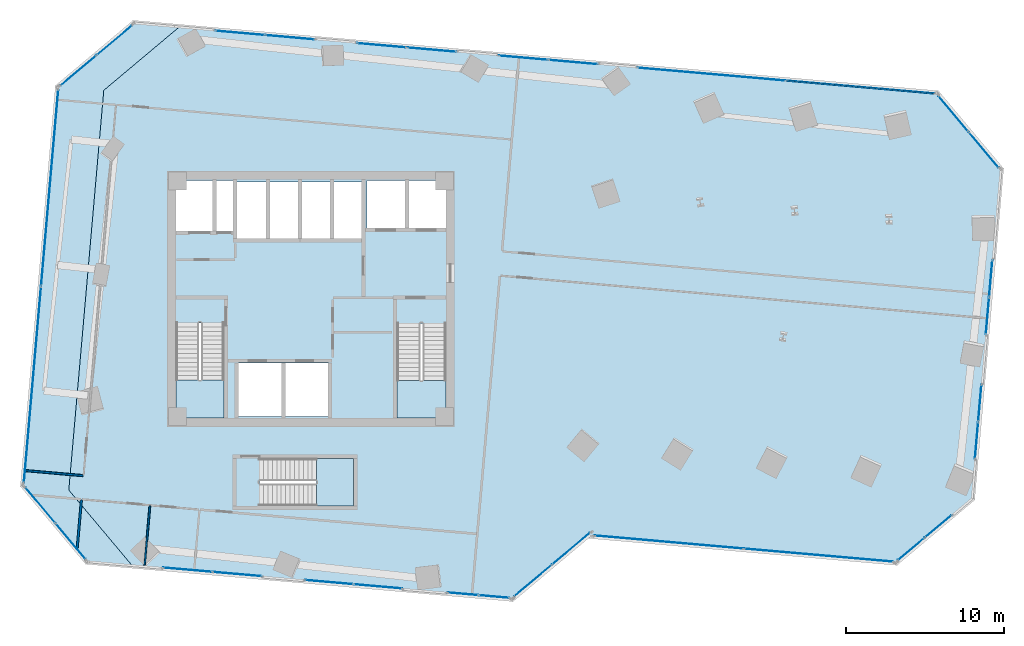
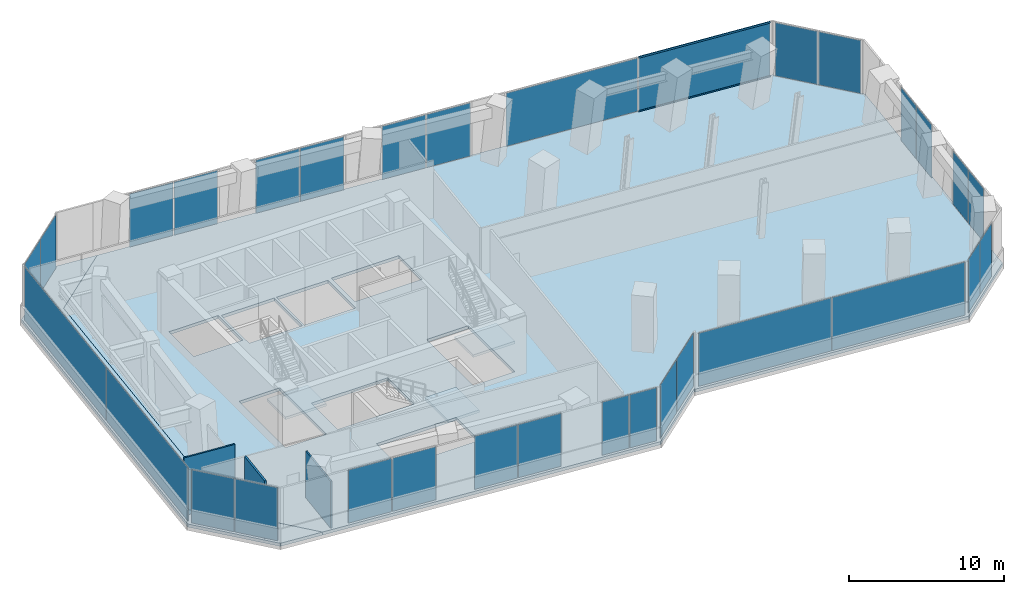
# One storey, part 19 of 24: 32 plates, 5 slabs, 3 walls, 2 members, 19 elements without a shape of their own.
"""IFC4 building model written with IfcOpenShell, lengths in metres."""

from ifc_helpers import new_model, si_unit, direction, frame, frame_2d, origin, origin_2d, place, context, subcontext, project, spatial, polyline, rectangle, hollow_rectangle, outline, extrude, source, transform, mapped, material, layer, layer_set, material_profile, profile_set, type_object, element, aggregate, save


model = new_model("IFC4")

# Units and contexts
model_context = context("Model", 3, precision=1e-05, world=origin(), true_north=direction((0.0, 1.0)))
body_context = subcontext(model_context, "Body", "Model", "MODEL_VIEW")
ifc_project = project(units=[si_unit("LENGTHUNIT", "METRE"), si_unit("AREAUNIT", "SQUARE_METRE"), si_unit("VOLUMEUNIT", "CUBIC_METRE"), si_unit("PLANEANGLEUNIT", "RADIAN"), si_unit("MASSUNIT", "GRAM", prefix="KILO")], contexts=[model_context])

# Site, building, storey
site_placement = place(None, origin())
site = spatial("IfcSite", under=ifc_project, at=site_placement, CompositionType="ELEMENT")
building_placement = place(site_placement, origin())
building = spatial("IfcBuilding", under=site, at=building_placement, Name="Torre Montelarca", CompositionType="ELEMENT")
storey_placement = place(building_placement, frame((0.0, 0.0, 52.0)))
storey = spatial("IfcBuildingStorey", under=building, at=storey_placement, Name="L11", CompositionType="ELEMENT", Elevation=52.0)

# Curtain wall, members
ifc_material_1 = material(Name="Insulated low-E laminated glass", Category="glass")
curtain_wall_type = type_object("IfcCurtainWallType", Name="CW-SYS-Z1", PredefinedType="USERDEFINED", material=ifc_material_1)
curtain_wall_1_placement = place(storey_placement, origin())
curtain_wall_1 = element("IfcCurtainWall", 1, at=curtain_wall_1_placement, inside=storey, type_object=curtain_wall_type, Name="L11 Curtain Wall Run CW-T3-L11-E08-B1", ObjectType="UNITISED GLAZING", PredefinedType="USERDEFINED")
ifc_material_2 = material(Name="Anodised aluminium AA 6063-T6", Category="aluminium")
ifc_material_profile = material_profile(ifc_material_2, hollow_rectangle(XDim=0.06494140625, YDim=0.139892578125, WallThickness=0.00390625, InnerFilletRadius=0.00390625, OuterFilletRadius=0.008056640625, at=origin_2d()), Name="ALU65X140X4", Category="aluminium")
ifc_profile_set = profile_set([ifc_material_profile], Name="Anodised aluminium AA 6063-T6")
member_type = type_object("IfcMemberType", Name="CWT-ALU140", PredefinedType="USERDEFINED", material=ifc_profile_set)
shared_shape_1 = source(origin(), body_context, "Body", "SweptSolid", [
    extrude(hollow_rectangle(XDim=0.06494140625, YDim=0.139892578125, WallThickness=0.00390625, InnerFilletRadius=0.00390625, OuterFilletRadius=0.008056640625, at=origin_2d()), origin(), (0.0, 0.0, 1.0), 9.372802734375),
])
member_1_placement = place(storey_placement, frame((57.437744140625, 44.987060546875, 0.032470703125), z_axis=(-0.996194706995, 0.087155640988, 0.0), x_axis=(-0.087155640988, -0.996194706995, 0.0)))
member_1 = element("IfcMember", 2, at=member_1_placement, type_object=member_type, Name="CW transom 1.1", ObjectType="TRANSOM", PredefinedType="USERDEFINED", context=body_context, shape_type="MappedRepresentation", body=[
    mapped(shared_shape_1, transform((0.0, 0.0, 0.0), scale=1.0)),
])
member_2_placement = place(storey_placement, frame((57.437744140625, 44.987060546875, 4.28759765625), z_axis=(-0.996194706995, 0.087155640988, 0.0), x_axis=(-0.087155640988, -0.996194706995, 0.0)))
member_2 = element("IfcMember", 3, at=member_2_placement, type_object=member_type, Name="CW transom 1.2", ObjectType="TRANSOM", PredefinedType="USERDEFINED", context=body_context, shape_type="MappedRepresentation", body=[
    mapped(shared_shape_1, transform((0.0, 0.0, 0.0), scale=1.0)),
])

# Slabs
ifc_material_3 = material(Name="Concrete C40/50", Category="concrete")
ifc_layer_1 = layer(ifc_material_3, 0.239990234375, Name="Concrete C40/50", Category="concrete")
ifc_layer_set_1 = layer_set([ifc_layer_1], Name="Concrete C40/50")
slab_type_1 = type_object("IfcSlabType", Name="SL-FLR-240", PredefinedType="FLOOR", material=ifc_layer_set_1)
slab_1_placement = place(storey_placement, frame((0.0, 0.0, -0.239990234375)))
element("IfcSlab", 4, at=slab_1_placement, inside=storey, type_object=slab_type_1, Name="L11 Structural Floor Slab", PredefinedType="FLOOR", context=body_context, shape_type="SweptSolid", body=[
    extrude(outline(polyline([(30.772216796875, 12.919189453125), (35.6474609375, 17.010009765625), (35.638671875, 16.910400390625), (55.064453125, 15.210693359375), (59.939453125, 19.301513671875), (61.769775390625, 40.221435546875), (57.67919921875, 45.0966796875), (9.76220703125, 49.288818359375), (4.88720703125, 45.197998046875), (2.67333984375, 19.894775390625), (6.763916015625, 15.019775390625), (30.772216796875, 12.919189453125)]), holes=[polyline([(20.699951171875, 18.89990234375), (14.760009765625, 18.89990234375), (14.760009765625, 21.889892578125), (20.699951171875, 21.889892578125), (20.699951171875, 18.89990234375)]), polyline([(19.10009765625, 24.550048828125), (13.39990234375, 24.550048828125), (13.39990234375, 27.949951171875), (19.10009765625, 27.949951171875), (19.10009765625, 24.550048828125)]), polyline([(23.43994140625, 24.449951171875), (23.43994140625, 30.429931640625), (26.550048828125, 30.429931640625), (26.550048828125, 24.449951171875), (23.43994140625, 24.449951171875)]), polyline([(9.449951171875, 24.449951171875), (9.449951171875, 30.4599609375), (12.5, 30.4599609375), (12.5, 24.449951171875), (9.449951171875, 24.449951171875)]), polyline([(17.25, 35.800048828125), (13.300048828125, 35.800048828125), (13.300048828125, 39.39990234375), (17.25, 39.39990234375), (17.25, 35.800048828125)]), polyline([(21.25, 35.800048828125), (17.39990234375, 35.800048828125), (17.39990234375, 39.39990234375), (21.25, 39.39990234375), (21.25, 35.800048828125)]), polyline([(13.1201171875, 36.300048828125), (9.449951171875, 36.300048828125), (9.449951171875, 39.5), (13.1201171875, 39.5), (13.1201171875, 36.300048828125)]), polyline([(26.60009765625, 36.449951171875), (21.550048828125, 36.449951171875), (21.550048828125, 39.5), (26.60009765625, 39.5), (26.60009765625, 36.449951171875)])]), origin(), (0.0, 0.0, 1.0), 0.239990234375),
])
slab_2_placement = place(storey_placement, frame((0.0, 0.0, -0.239990234375)))
element("IfcSlab", 5, at=slab_2_placement, inside=storey, type_object=slab_type_1, Name="L11 Sliding Tray Winter Garden Floor Slab W1", PredefinedType="FLOOR", context=body_context, shape_type="SweptSolid", body=[
    extrude(outline(polyline([(6.763916015625, 15.019775390625), (2.67333984375, 19.894775390625), (4.88720703125, 45.197998046875), (9.76220703125, 49.288818359375), (6.773681640625, 49.55029296875), (1.8984375, 45.459716796875), (-0.315185546875, 20.15625), (3.775390625, 15.28125), (6.763916015625, 15.019775390625)])), origin(), (0.0, 0.0, 1.0), 0.239990234375),
])

# Stair, slab
stair_type_1 = type_object("IfcStairType", Name="ST-CORE-ST1", PredefinedType="HALF_TURN_STAIR", material=ifc_material_3)
stair_1_placement = place(storey_placement, origin())
stair_1 = element("IfcStair", 6, at=stair_1_placement, inside=storey, type_object=stair_type_1, Name="L11 Protected Exit Stair ST1", PredefinedType="HALF_TURN_STAIR")
ifc_layer_2 = layer(ifc_material_3, 0.199951171875, Name="Concrete C40/50", Category="concrete")
ifc_layer_set_2 = layer_set([ifc_layer_2], Name="Concrete C40/50")
slab_type_2 = type_object("IfcSlabType", Name="SL-ST-LAND-ST1", PredefinedType="LANDING", material=ifc_layer_set_2)
slab_3_placement = place(storey_placement, frame((0.0, 0.0, 2.199951171875)))
slab_3 = element("IfcSlab", 7, at=slab_3_placement, type_object=slab_type_2, Name="ST1 landing 1", PredefinedType="LANDING", context=body_context, shape_type="SweptSolid", body=[
    extrude(outline(polyline([(9.449951171875, 26.860107421875), (9.449951171875, 24.449951171875), (12.5, 24.449951171875), (12.5, 26.860107421875), (9.449951171875, 26.860107421875)])), origin(), (0.0, 0.0, 1.0), 0.199951171875),
])
aggregate(stair_1, [slab_3])

stair_type_2 = type_object("IfcStairType", Name="ST-CORE-ST2", PredefinedType="HALF_TURN_STAIR", material=ifc_material_3)
stair_2_placement = place(storey_placement, origin())
stair_2 = element("IfcStair", 8, at=stair_2_placement, inside=storey, type_object=stair_type_2, Name="L11 Protected Exit Stair ST2", PredefinedType="HALF_TURN_STAIR")
ifc_layer_3 = layer(ifc_material_3, 0.199951171875, Name="Concrete C40/50", Category="concrete")
ifc_layer_set_3 = layer_set([ifc_layer_3], Name="Concrete C40/50")
slab_type_3 = type_object("IfcSlabType", Name="SL-ST-LAND-ST2", PredefinedType="LANDING", material=ifc_layer_set_3)
slab_4_placement = place(storey_placement, frame((0.0, 0.0, 2.199951171875)))
slab_4 = element("IfcSlab", 9, at=slab_4_placement, type_object=slab_type_3, Name="ST2 landing 1", PredefinedType="LANDING", context=body_context, shape_type="SweptSolid", body=[
    extrude(outline(polyline([(23.43994140625, 26.830078125), (23.43994140625, 24.449951171875), (26.550048828125, 24.449951171875), (26.550048828125, 26.830078125), (23.43994140625, 26.830078125)])), origin(), (0.0, 0.0, 1.0), 0.199951171875),
])
aggregate(stair_2, [slab_4])

stair_type_3 = type_object("IfcStairType", Name="ST-CORE-ST3", PredefinedType="HALF_TURN_STAIR", material=ifc_material_3)
stair_3_placement = place(storey_placement, origin())
stair_3 = element("IfcStair", 10, at=stair_3_placement, inside=storey, type_object=stair_type_3, Name="L11 Low-Rise Exit Stair ST3", PredefinedType="HALF_TURN_STAIR")
ifc_layer_4 = layer(ifc_material_3, 0.199951171875, Name="Concrete C40/50", Category="concrete")
ifc_layer_set_4 = layer_set([ifc_layer_4], Name="Concrete C40/50")
slab_type_4 = type_object("IfcSlabType", Name="SL-ST-LAND-ST3", PredefinedType="LANDING", material=ifc_layer_set_4)
slab_5_placement = place(storey_placement, frame((0.0, 0.0, 2.199951171875)))
slab_5 = element("IfcSlab", 11, at=slab_5_placement, type_object=slab_type_4, Name="ST3 landing 1", PredefinedType="LANDING", context=body_context, shape_type="SweptSolid", body=[
    extrude(outline(polyline([(18.360107421875, 18.89990234375), (20.699951171875, 18.89990234375), (20.699951171875, 21.889892578125), (18.360107421875, 21.889892578125), (18.360107421875, 18.89990234375)])), origin(), (0.0, 0.0, 1.0), 0.199951171875),
])
aggregate(stair_3, [slab_5])

# Curtain wall, plates
curtain_wall_2_placement = place(storey_placement, origin())
curtain_wall_2 = element("IfcCurtainWall", 12, at=curtain_wall_2_placement, inside=storey, type_object=curtain_wall_type, Name="L11 Curtain Wall Run CW-T3-L11-E07-B1", ObjectType="UNITISED GLAZING", PredefinedType="USERDEFINED")
ifc_layer_5 = layer(ifc_material_1, 0.028076171875, Name="Insulated low-E laminated glass", Category="glass")
ifc_layer_set_5 = layer_set([ifc_layer_5], Name="Insulated low-E laminated glass")
plate_type = type_object("IfcPlateType", Name="CWP-GLZ-28", PredefinedType="CURTAIN_PANEL", material=ifc_layer_set_5)
shared_shape_2 = source(origin(), body_context, "Body", "SweptSolid", [
    extrude(rectangle(XDim=2.918701171875, YDim=0.028076171875, at=origin_2d()), origin(), (0.0, 0.0, 1.0), 4.18994140625),
])
plate_1_placement = place(storey_placement, frame((60.583740234375, 41.4326171875, 0.06494140625), z_axis=(0.0, 0.0, 1.0), x_axis=(-0.642789614074, 0.766042761233, 0.0)))
plate_1 = element("IfcPlate", 13, at=plate_1_placement, type_object=plate_type, Name="CW panel 1.1", PredefinedType="CURTAIN_PANEL", context=body_context, shape_type="MappedRepresentation", body=[
    mapped(shared_shape_2, transform((0.0, 0.0, 0.0), scale=1.0)),
])
plate_2_placement = place(storey_placement, frame((58.666015625, 43.71826171875, 0.06494140625), z_axis=(0.0, 0.0, 1.0), x_axis=(-0.642789614074, 0.766042761233, 0.0)))
plate_2 = element("IfcPlate", 14, at=plate_2_placement, type_object=plate_type, Name="CW panel 2.1", PredefinedType="CURTAIN_PANEL", context=body_context, shape_type="MappedRepresentation", body=[
    mapped(shared_shape_2, transform((0.0, 0.0, 0.0), scale=1.0)),
])
aggregate(curtain_wall_2, [plate_1, plate_2])

curtain_wall_3_placement = place(storey_placement, origin())
curtain_wall_3 = element("IfcCurtainWall", 15, at=curtain_wall_3_placement, inside=storey, type_object=curtain_wall_type, Name="L11 Curtain Wall Run CW-T3-L11-E09-B1", ObjectType="UNITISED GLAZING", PredefinedType="USERDEFINED")
plate_3_placement = place(storey_placement, frame((5.5625, 48.3642578125, 0.06494140625), z_axis=(0.0, 0.0, 1.0), x_axis=(-0.766042761233, -0.642789614074, 0.0)))
plate_3 = element("IfcPlate", 16, at=plate_3_placement, type_object=plate_type, Name="CW panel 1.1", PredefinedType="CURTAIN_PANEL", context=body_context, shape_type="MappedRepresentation", body=[
    mapped(shared_shape_2, transform((0.0, 0.0, 0.0), scale=1.0)),
])
plate_4_placement = place(storey_placement, frame((3.27685546875, 46.446533203125, 0.06494140625), z_axis=(0.0, 0.0, 1.0), x_axis=(-0.766042761233, -0.642789614074, 0.0)))
plate_4 = element("IfcPlate", 17, at=plate_4_placement, type_object=plate_type, Name="CW panel 2.1", PredefinedType="CURTAIN_PANEL", context=body_context, shape_type="MappedRepresentation", body=[
    mapped(shared_shape_2, transform((0.0, 0.0, 0.0), scale=1.0)),
])
aggregate(curtain_wall_3, [plate_3, plate_4])

curtain_wall_4_placement = place(storey_placement, origin())
curtain_wall_4 = element("IfcCurtainWall", 18, at=curtain_wall_4_placement, inside=storey, type_object=curtain_wall_type, Name="L11 Curtain Wall Run CW-T3-L11-E11-B1", ObjectType="UNITISED GLAZING", PredefinedType="USERDEFINED")
plate_5_placement = place(storey_placement, frame((0.87060546875, 18.945068359375, 0.06494140625), z_axis=(0.0, 0.0, 1.0), x_axis=(0.642789614074, -0.766042761233, 0.0)))
plate_5 = element("IfcPlate", 19, at=plate_5_placement, type_object=plate_type, Name="CW panel 1.1", PredefinedType="CURTAIN_PANEL", context=body_context, shape_type="MappedRepresentation", body=[
    mapped(shared_shape_2, transform((0.0, 0.0, 0.0), scale=1.0)),
])
plate_6_placement = place(storey_placement, frame((2.78857421875, 16.659423828125, 0.06494140625), z_axis=(0.0, 0.0, 1.0), x_axis=(0.642789614074, -0.766042761233, 0.0)))
plate_6 = element("IfcPlate", 20, at=plate_6_placement, type_object=plate_type, Name="CW panel 2.1", PredefinedType="CURTAIN_PANEL", context=body_context, shape_type="MappedRepresentation", body=[
    mapped(shared_shape_2, transform((0.0, 0.0, 0.0), scale=1.0)),
])
aggregate(curtain_wall_4, [plate_5, plate_6])

curtain_wall_5_placement = place(storey_placement, origin())
curtain_wall_5 = element("IfcCurtainWall", 21, at=curtain_wall_5_placement, inside=storey, type_object=curtain_wall_type, Name="L11 Curtain Wall Run CW-T3-L11-E08-B2", ObjectType="UNITISED GLAZING", PredefinedType="USERDEFINED")
shared_shape_3 = source(origin(), body_context, "Body", "SweptSolid", [
    extrude(rectangle(XDim=3.10791015625, YDim=0.028076171875, at=origin_2d()), origin(), (0.0, 0.0, 1.0), 4.18994140625),
])
plate_7_placement = place(storey_placement, frame((34.60693359375, 46.984619140625, 0.06494140625), z_axis=(0.0, 0.0, 1.0), x_axis=(-0.996195207318, 0.087149922072, 0.0)))
plate_7 = element("IfcPlate", 22, at=plate_7_placement, type_object=plate_type, Name="CW panel 1.1", PredefinedType="CURTAIN_PANEL", context=body_context, shape_type="MappedRepresentation", body=[
    mapped(shared_shape_3, transform((0.0, 0.0, 0.0), scale=1.0)),
])
plate_8_placement = place(storey_placement, frame((31.446044921875, 47.26123046875, 0.06494140625), z_axis=(0.0, 0.0, 1.0), x_axis=(-0.996195207318, 0.087149922072, 0.0)))
plate_8 = element("IfcPlate", 23, at=plate_8_placement, type_object=plate_type, Name="CW panel 2.1", PredefinedType="CURTAIN_PANEL", context=body_context, shape_type="MappedRepresentation", body=[
    mapped(shared_shape_3, transform((0.0, 0.0, 0.0), scale=1.0)),
])
aggregate(curtain_wall_5, [plate_7, plate_8])

curtain_wall_6_placement = place(storey_placement, origin())
curtain_wall_6 = element("IfcCurtainWall", 24, at=curtain_wall_6_placement, inside=storey, type_object=curtain_wall_type, Name="L11 Curtain Wall Run CW-T3-L11-E08-B4", ObjectType="UNITISED GLAZING", PredefinedType="USERDEFINED")
shared_shape_4 = source(origin(), body_context, "Body", "SweptSolid", [
    extrude(rectangle(XDim=3.105712890625, YDim=0.028076171875, at=origin_2d()), origin(), (0.0, 0.0, 1.0), 4.18994140625),
])
plate_9_placement = place(storey_placement, frame((16.676513671875, 48.553466796875, 0.06494140625), z_axis=(0.0, 0.0, 1.0), x_axis=(-0.996194293522, 0.087160366874, 0.0)))
plate_9 = element("IfcPlate", 25, at=plate_9_placement, type_object=plate_type, Name="CW panel 1.1", PredefinedType="CURTAIN_PANEL", context=body_context, shape_type="MappedRepresentation", body=[
    mapped(shared_shape_4, transform((0.0, 0.0, 0.0), scale=1.0)),
])
plate_10_placement = place(storey_placement, frame((13.517822265625, 48.829833984375, 0.06494140625), z_axis=(0.0, 0.0, 1.0), x_axis=(-0.996194293522, 0.087160366874, 0.0)))
plate_10 = element("IfcPlate", 26, at=plate_10_placement, type_object=plate_type, Name="CW panel 2.1", PredefinedType="CURTAIN_PANEL", context=body_context, shape_type="MappedRepresentation", body=[
    mapped(shared_shape_4, transform((0.0, 0.0, 0.0), scale=1.0)),
])
aggregate(curtain_wall_6, [plate_9, plate_10])

curtain_wall_7_placement = place(storey_placement, origin())
curtain_wall_7 = element("IfcCurtainWall", 27, at=curtain_wall_7_placement, inside=storey, type_object=curtain_wall_type, Name="L11 Curtain Wall Run CW-T3-L11-E01-B3", ObjectType="UNITISED GLAZING", PredefinedType="USERDEFINED")
shared_shape_5 = source(origin(), body_context, "Body", "SweptSolid", [
    extrude(rectangle(XDim=1.9169921875, YDim=0.028076171875, at=origin_2d()), origin(), (0.0, 0.0, 1.0), 4.18994140625),
])
plate_11_placement = place(storey_placement, frame((27.624267578125, 13.3251953125, 0.06494140625), z_axis=(0.0, 0.0, 1.0), x_axis=(0.996193879133, -0.087165102987, 0.0)))
plate_11 = element("IfcPlate", 28, at=plate_11_placement, type_object=plate_type, Name="CW panel 1.1", PredefinedType="CURTAIN_PANEL", context=body_context, shape_type="MappedRepresentation", body=[
    mapped(shared_shape_5, transform((0.0, 0.0, 0.0), scale=1.0)),
])
plate_12_placement = place(storey_placement, frame((29.598876953125, 13.15234375, 0.06494140625), z_axis=(0.0, 0.0, 1.0), x_axis=(0.996193879133, -0.087165102987, 0.0)))
plate_12 = element("IfcPlate", 29, at=plate_12_placement, type_object=plate_type, Name="CW panel 2.1", PredefinedType="CURTAIN_PANEL", context=body_context, shape_type="MappedRepresentation", body=[
    mapped(shared_shape_5, transform((0.0, 0.0, 0.0), scale=1.0)),
])
aggregate(curtain_wall_7, [plate_11, plate_12])

curtain_wall_8_placement = place(storey_placement, origin())
curtain_wall_8 = element("IfcCurtainWall", 30, at=curtain_wall_8_placement, inside=storey, type_object=curtain_wall_type, Name="L11 Curtain Wall Run CW-T3-L11-E02-B1", ObjectType="UNITISED GLAZING", PredefinedType="USERDEFINED")
shared_shape_6 = source(origin(), body_context, "Body", "SweptSolid", [
    extrude(rectangle(XDim=3.102783203125, YDim=0.028076171875, at=origin_2d()), origin(), (0.0, 0.0, 1.0), 4.18994140625),
])
plate_13_placement = place(storey_placement, frame((32.053955078125, 14.16455078125, 0.06494140625), z_axis=(0.0, 0.0, 1.0), x_axis=(0.766052558945, 0.642777937498, 0.0)))
plate_13 = element("IfcPlate", 31, at=plate_13_placement, type_object=plate_type, Name="CW panel 1.1", PredefinedType="CURTAIN_PANEL", context=body_context, shape_type="MappedRepresentation", body=[
    mapped(shared_shape_6, transform((0.0, 0.0, 0.0), scale=1.0)),
])
plate_14_placement = place(storey_placement, frame((34.480712890625, 16.200439453125, 0.06494140625), z_axis=(0.0, 0.0, 1.0), x_axis=(0.766052558945, 0.642777937498, 0.0)))
plate_14 = element("IfcPlate", 32, at=plate_14_placement, type_object=plate_type, Name="CW panel 2.1", PredefinedType="CURTAIN_PANEL", context=body_context, shape_type="MappedRepresentation", body=[
    mapped(shared_shape_6, transform((0.0, 0.0, 0.0), scale=1.0)),
])
aggregate(curtain_wall_8, [plate_13, plate_14])

curtain_wall_9_placement = place(storey_placement, origin())
curtain_wall_9 = element("IfcCurtainWall", 33, at=curtain_wall_9_placement, inside=storey, type_object=curtain_wall_type, Name="L11 Curtain Wall Run CW-T3-L11-E04-B1", ObjectType="UNITISED GLAZING", PredefinedType="USERDEFINED")
shared_shape_7 = source(origin(), body_context, "Body", "SweptSolid", [
    extrude(rectangle(XDim=9.448486328125, YDim=0.028076171875, at=origin_2d()), origin(), (0.0, 0.0, 1.0), 4.18994140625),
])
plate_15_placement = place(storey_placement, frame((40.662109375, 16.601318359375, 0.06494140625), z_axis=(0.0, 0.0, 1.0), x_axis=(0.996194160936, -0.087161882244, 0.0)))
plate_15 = element("IfcPlate", 34, at=plate_15_placement, type_object=plate_type, Name="CW panel 1.1", PredefinedType="CURTAIN_PANEL", context=body_context, shape_type="MappedRepresentation", body=[
    mapped(shared_shape_7, transform((0.0, 0.0, 0.0), scale=1.0)),
])
plate_16_placement = place(storey_placement, frame((50.139404296875, 15.772216796875, 0.06494140625), z_axis=(0.0, 0.0, 1.0), x_axis=(0.996194160936, -0.087161882244, 0.0)))
plate_16 = element("IfcPlate", 35, at=plate_16_placement, type_object=plate_type, Name="CW panel 2.1", PredefinedType="CURTAIN_PANEL", context=body_context, shape_type="MappedRepresentation", body=[
    mapped(shared_shape_7, transform((0.0, 0.0, 0.0), scale=1.0)),
])
aggregate(curtain_wall_9, [plate_15, plate_16])

curtain_wall_10_placement = place(storey_placement, origin())
curtain_wall_10 = element("IfcCurtainWall", 36, at=curtain_wall_10_placement, inside=storey, type_object=curtain_wall_type, Name="L11 Curtain Wall Run CW-T3-L11-E10-B1", ObjectType="UNITISED GLAZING", PredefinedType="USERDEFINED")
shared_shape_8 = source(origin(), body_context, "Body", "SweptSolid", [
    extrude(rectangle(XDim=12.4365234375, YDim=0.028076171875, at=origin_2d()), origin(), (0.0, 0.0, 1.0), 4.18994140625),
])
plate_17_placement = place(storey_placement, frame((1.4658203125, 39.023681640625, 0.06494140625), z_axis=(0.0, 0.0, 1.0), x_axis=(-0.087162199711, -0.99619413316, 0.0)))
plate_17 = element("IfcPlate", 37, at=plate_17_placement, type_object=plate_type, Name="CW panel 1.1", PredefinedType="CURTAIN_PANEL", context=body_context, shape_type="MappedRepresentation", body=[
    mapped(shared_shape_8, transform((0.0, 0.0, 0.0), scale=1.0)),
])
plate_18_placement = place(storey_placement, frame((0.376220703125, 26.569580078125, 0.06494140625), z_axis=(0.0, 0.0, 1.0), x_axis=(-0.087162199711, -0.99619413316, 0.0)))
plate_18 = element("IfcPlate", 38, at=plate_18_placement, type_object=plate_type, Name="CW panel 2.1", PredefinedType="CURTAIN_PANEL", context=body_context, shape_type="MappedRepresentation", body=[
    mapped(shared_shape_8, transform((0.0, 0.0, 0.0), scale=1.0)),
])
aggregate(curtain_wall_10, [plate_17, plate_18])

curtain_wall_11_placement = place(storey_placement, origin())
curtain_wall_11 = element("IfcCurtainWall", 39, at=curtain_wall_11_placement, inside=storey, type_object=curtain_wall_type, Name="L11 Curtain Wall Run CW-T3-L11-E01-B1", ObjectType="UNITISED GLAZING", PredefinedType="USERDEFINED")
shared_shape_9 = source(origin(), body_context, "Body", "SweptSolid", [
    extrude(rectangle(XDim=3.085205078125, YDim=0.028076171875, at=origin_2d()), origin(), (0.0, 0.0, 1.0), 4.18994140625),
])
plate_19_placement = place(storey_placement, frame((10.199951171875, 14.849609375, 0.06494140625), z_axis=(0.0, 0.0, 1.0), x_axis=(0.996194706425, -0.087155647502, 0.0)))
plate_19 = element("IfcPlate", 40, at=plate_19_placement, type_object=plate_type, Name="CW panel 1.1", PredefinedType="CURTAIN_PANEL", context=body_context, shape_type="MappedRepresentation", body=[
    mapped(shared_shape_9, transform((0.0, 0.0, 0.0), scale=1.0)),
])
plate_20_placement = place(storey_placement, frame((13.33837890625, 14.5751953125, 0.06494140625), z_axis=(0.0, 0.0, 1.0), x_axis=(0.996194706425, -0.087155647502, 0.0)))
plate_20 = element("IfcPlate", 41, at=plate_20_placement, type_object=plate_type, Name="CW panel 2.1", PredefinedType="CURTAIN_PANEL", context=body_context, shape_type="MappedRepresentation", body=[
    mapped(shared_shape_9, transform((0.0, 0.0, 0.0), scale=1.0)),
])
aggregate(curtain_wall_11, [plate_19, plate_20])

curtain_wall_12_placement = place(storey_placement, origin())
curtain_wall_12 = element("IfcCurtainWall", 42, at=curtain_wall_12_placement, inside=storey, type_object=curtain_wall_type, Name="L11 Curtain Wall Run CW-T3-L11-E01-B2", ObjectType="UNITISED GLAZING", PredefinedType="USERDEFINED")
shared_shape_10 = source(origin(), body_context, "Body", "SweptSolid", [
    extrude(rectangle(XDim=3.046875, YDim=0.028076171875, at=origin_2d()), origin(), (0.0, 0.0, 1.0), 4.18994140625),
])
plate_21_placement = place(storey_placement, frame((19.146484375, 14.06689453125, 0.06494140625), z_axis=(0.0, 0.0, 1.0), x_axis=(0.996194442407, -0.087158665186, 0.0)))
plate_21 = element("IfcPlate", 43, at=plate_21_placement, type_object=plate_type, Name="CW panel 1.1", PredefinedType="CURTAIN_PANEL", context=body_context, shape_type="MappedRepresentation", body=[
    mapped(shared_shape_10, transform((0.0, 0.0, 0.0), scale=1.0)),
])
plate_22_placement = place(storey_placement, frame((22.246337890625, 13.795654296875, 0.06494140625), z_axis=(0.0, 0.0, 1.0), x_axis=(0.996194442407, -0.087158665186, 0.0)))
plate_22 = element("IfcPlate", 44, at=plate_22_placement, type_object=plate_type, Name="CW panel 2.1", PredefinedType="CURTAIN_PANEL", context=body_context, shape_type="MappedRepresentation", body=[
    mapped(shared_shape_10, transform((0.0, 0.0, 0.0), scale=1.0)),
])
aggregate(curtain_wall_12, [plate_21, plate_22])

curtain_wall_13_placement = place(storey_placement, origin())
curtain_wall_13 = element("IfcCurtainWall", 45, at=curtain_wall_13_placement, inside=storey, type_object=curtain_wall_type, Name="L11 Curtain Wall Run CW-T3-L11-E05-B1", ObjectType="UNITISED GLAZING", PredefinedType="USERDEFINED")
shared_shape_11 = source(origin(), body_context, "Body", "SweptSolid", [
    extrude(rectangle(XDim=2.17919921875, YDim=0.028076171875, at=origin_2d()), origin(), (0.0, 0.0, 1.0), 4.18994140625),
])
plate_23_placement = place(storey_placement, frame((55.992431640625, 16.1591796875, 0.06494140625), z_axis=(0.0, 0.0, 1.0), x_axis=(0.76603874793, 0.642794396887, 0.0)))
plate_23 = element("IfcPlate", 46, at=plate_23_placement, type_object=plate_type, Name="CW panel 1.1", PredefinedType="CURTAIN_PANEL", context=body_context, shape_type="MappedRepresentation", body=[
    mapped(shared_shape_11, transform((0.0, 0.0, 0.0), scale=1.0)),
])
plate_24_placement = place(storey_placement, frame((57.711669921875, 17.601806640625, 0.06494140625), z_axis=(0.0, 0.0, 1.0), x_axis=(0.76603874793, 0.642794396887, 0.0)))
plate_24 = element("IfcPlate", 47, at=plate_24_placement, type_object=plate_type, Name="CW panel 2.1", PredefinedType="CURTAIN_PANEL", context=body_context, shape_type="MappedRepresentation", body=[
    mapped(shared_shape_11, transform((0.0, 0.0, 0.0), scale=1.0)),
])
aggregate(curtain_wall_13, [plate_23, plate_24])

curtain_wall_14_placement = place(storey_placement, origin())
curtain_wall_14 = element("IfcCurtainWall", 48, at=curtain_wall_14_placement, inside=storey, type_object=curtain_wall_type, Name="L11 Curtain Wall Run CW-T3-L11-E06-B1", ObjectType="UNITISED GLAZING", PredefinedType="USERDEFINED")
shared_shape_12 = source(origin(), body_context, "Body", "SweptSolid", [
    extrude(rectangle(XDim=2.315185546875, YDim=0.028076171875, at=origin_2d()), origin(), (0.0, 0.0, 1.0), 4.18994140625),
])
plate_25_placement = place(storey_placement, frame((60.134765625, 23.026123046875, 0.06494140625), z_axis=(0.0, 0.0, 1.0), x_axis=(0.087167978634, 0.996193627515, 0.0)))
plate_25 = element("IfcPlate", 49, at=plate_25_placement, type_object=plate_type, Name="CW panel 1.1", PredefinedType="CURTAIN_PANEL", context=body_context, shape_type="MappedRepresentation", body=[
    mapped(shared_shape_12, transform((0.0, 0.0, 0.0), scale=1.0)),
])
plate_26_placement = place(storey_placement, frame((60.34228515625, 25.397216796875, 0.06494140625), z_axis=(0.0, 0.0, 1.0), x_axis=(0.087167978634, 0.996193627515, 0.0)))
plate_26 = element("IfcPlate", 50, at=plate_26_placement, type_object=plate_type, Name="CW panel 2.1", PredefinedType="CURTAIN_PANEL", context=body_context, shape_type="MappedRepresentation", body=[
    mapped(shared_shape_12, transform((0.0, 0.0, 0.0), scale=1.0)),
])
aggregate(curtain_wall_14, [plate_25, plate_26])

curtain_wall_15_placement = place(storey_placement, origin())
curtain_wall_15 = element("IfcCurtainWall", 51, at=curtain_wall_15_placement, inside=storey, type_object=curtain_wall_type, Name="L11 Curtain Wall Run CW-T3-L11-E06-B2", ObjectType="UNITISED GLAZING", PredefinedType="USERDEFINED")
shared_shape_13 = source(origin(), body_context, "Body", "SweptSolid", [
    extrude(rectangle(XDim=2.314208984375, YDim=0.028076171875, at=origin_2d()), origin(), (0.0, 0.0, 1.0), 4.18994140625),
])
plate_27_placement = place(storey_placement, frame((60.825439453125, 30.92041015625, 0.06494140625), z_axis=(0.0, 0.0, 1.0), x_axis=(0.08716103486, 0.996194235078, 0.0)))
plate_27 = element("IfcPlate", 52, at=plate_27_placement, type_object=plate_type, Name="CW panel 1.1", PredefinedType="CURTAIN_PANEL", context=body_context, shape_type="MappedRepresentation", body=[
    mapped(shared_shape_13, transform((0.0, 0.0, 0.0), scale=1.0)),
])
plate_28_placement = place(storey_placement, frame((61.032958984375, 33.29052734375, 0.06494140625), z_axis=(0.0, 0.0, 1.0), x_axis=(0.08716103486, 0.996194235078, 0.0)))
plate_28 = element("IfcPlate", 53, at=plate_28_placement, type_object=plate_type, Name="CW panel 2.1", PredefinedType="CURTAIN_PANEL", context=body_context, shape_type="MappedRepresentation", body=[
    mapped(shared_shape_13, transform((0.0, 0.0, 0.0), scale=1.0)),
])
aggregate(curtain_wall_15, [plate_27, plate_28])

# Plate
shared_shape_14 = source(origin(), body_context, "Body", "SweptSolid", [
    extrude(rectangle(XDim=9.372802734375, YDim=0.028076171875, at=origin_2d()), origin(), (0.0, 0.0, 1.0), 4.18994140625),
])
plate_29_placement = place(storey_placement, frame((52.769287109375, 45.3955078125, 0.06494140625), z_axis=(0.0, 0.0, 1.0), x_axis=(-0.996194605713, 0.087156798635, 0.0)))
plate_29 = element("IfcPlate", 54, at=plate_29_placement, type_object=plate_type, Name="CW panel 1.1", PredefinedType="CURTAIN_PANEL", context=body_context, shape_type="MappedRepresentation", body=[
    mapped(shared_shape_14, transform((0.0, 0.0, 0.0), scale=1.0)),
])

plate_30_placement = place(storey_placement, frame((43.367431640625, 46.21826171875, 0.06494140625), z_axis=(0.0, 0.0, 1.0), x_axis=(-0.996194605713, 0.087156798635, 0.0)))
plate_30 = element("IfcPlate", 55, at=plate_30_placement, type_object=plate_type, Name="CW panel 2.1", PredefinedType="CURTAIN_PANEL", context=body_context, shape_type="MappedRepresentation", body=[
    mapped(shared_shape_14, transform((0.0, 0.0, 0.0), scale=1.0)),
])

aggregate(curtain_wall_1, [member_1, member_2, plate_29, plate_30])

# Curtain wall, plates
curtain_wall_16_placement = place(storey_placement, origin())
curtain_wall_16 = element("IfcCurtainWall", 56, at=curtain_wall_16_placement, inside=storey, type_object=curtain_wall_type, Name="L11 Curtain Wall Run CW-T3-L11-E08-B3", ObjectType="UNITISED GLAZING", PredefinedType="USERDEFINED")
shared_shape_15 = source(origin(), body_context, "Body", "SweptSolid", [
    extrude(rectangle(XDim=3.10693359375, YDim=0.028076171875, at=origin_2d()), origin(), (0.0, 0.0, 1.0), 4.18994140625),
])
plate_31_placement = place(storey_placement, frame((25.6416015625, 47.76904296875, 0.06494140625), z_axis=(0.0, 0.0, 1.0), x_axis=(-0.99619419171, 0.087161530525, 0.0)))
plate_31 = element("IfcPlate", 57, at=plate_31_placement, type_object=plate_type, Name="CW panel 1.1", PredefinedType="CURTAIN_PANEL", context=body_context, shape_type="MappedRepresentation", body=[
    mapped(shared_shape_15, transform((0.0, 0.0, 0.0), scale=1.0)),
])
plate_32_placement = place(storey_placement, frame((22.48193359375, 48.045654296875, 0.06494140625), z_axis=(0.0, 0.0, 1.0), x_axis=(-0.99619419171, 0.087161530525, 0.0)))
plate_32 = element("IfcPlate", 58, at=plate_32_placement, type_object=plate_type, Name="CW panel 2.1", PredefinedType="CURTAIN_PANEL", context=body_context, shape_type="MappedRepresentation", body=[
    mapped(shared_shape_15, transform((0.0, 0.0, 0.0), scale=1.0)),
])
aggregate(curtain_wall_16, [plate_31, plate_32])

# Walls
ifc_material_4 = material(Name="Acoustic laminated glass partition", Category="glass")
ifc_layer_6 = layer(ifc_material_4, 0.10009765625, Name="Acoustic laminated glass partition", Category="glass")
ifc_layer_set_6 = layer_set([ifc_layer_6], Name="Acoustic laminated glass partition")
wall_type_1 = type_object("IfcWallType", Name="PW-GLAZ-100", PredefinedType="PARTITIONING", material=ifc_layer_set_6)
wall_1_placement = place(storey_placement, frame((7.47705078125, 15.137939453125, 0.0), z_axis=(0.0, 0.0, 1.0), x_axis=(0.087160523959, 0.996194279778, 0.0)))
element("IfcWall", 59, at=wall_1_placement, inside=storey, type_object=wall_type_1, Name="L11 Interior Partition W-L11-WCD", PredefinedType="PARTITIONING", context=body_context, shape_type="SweptSolid", body=[
    extrude(rectangle(XDim=3.770263671875, YDim=0.10009765625, at=frame_2d((1.88525390625, 0.0))), origin(), (0.0, 0.0, 1.0), 3.695068359375),
])
ifc_material_5 = material(Name="Gypsum plasterboard on steel stud", Category="steel")
ifc_layer_7 = layer(ifc_material_5, 0.114990234375, Name="Gypsum plasterboard on steel stud", Category="steel")
ifc_layer_set_7 = layer_set([ifc_layer_7], Name="Gypsum plasterboard on steel stud")
wall_type_2 = type_object("IfcWallType", Name="PW-PART-115", PredefinedType="PARTITIONING", material=ifc_layer_set_7)
wall_2_placement = place(storey_placement, frame((-0.0498046875, 21.126708984375, 0.0), z_axis=(0.0, 0.0, 1.0), x_axis=(0.996194520424, -0.087157773474, 0.0)))
element("IfcWall", 60, at=wall_2_placement, inside=storey, type_object=wall_type_2, Name="L11 Interior Partition W-L11-WWGS", PredefinedType="PARTITIONING", context=body_context, shape_type="SweptSolid", body=[
    extrude(rectangle(XDim=3.63037109375, YDim=0.114990234375, at=frame_2d((1.815185546875, 0.0))), origin(), (0.0, 0.0, 1.0), 4.56005859375),
])
ifc_layer_8 = layer(ifc_material_5, 0.135009765625, Name="Gypsum plasterboard on steel stud", Category="steel")
ifc_layer_set_8 = layer_set([ifc_layer_8], Name="Gypsum plasterboard on steel stud")
wall_type_3 = type_object("IfcWallType", Name="PW-PART-135", PredefinedType="PARTITIONING", material=ifc_layer_set_8)
wall_3_placement = place(storey_placement, frame((3.205322265625, 16.222412109375, 0.0), z_axis=(0.0, 0.0, 1.0), x_axis=(0.087149146451, 0.996195275171, 0.0)))
element("IfcWall", 61, at=wall_3_placement, inside=storey, type_object=wall_type_3, Name="L11 Interior Partition W-L11-WCW", PredefinedType="PARTITIONING", context=body_context, shape_type="SweptSolid", body=[
    extrude(rectangle(XDim=3.06201171875, YDim=0.135009765625, at=frame_2d((1.531005859375, 0.0))), origin(), (0.0, 0.0, 1.0), 4.56005859375),
])

save(model, "model.ifc")
